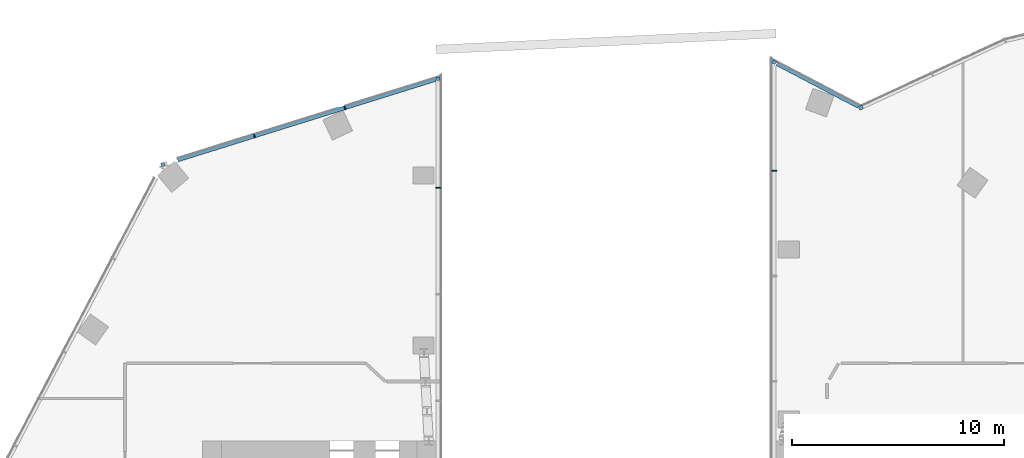
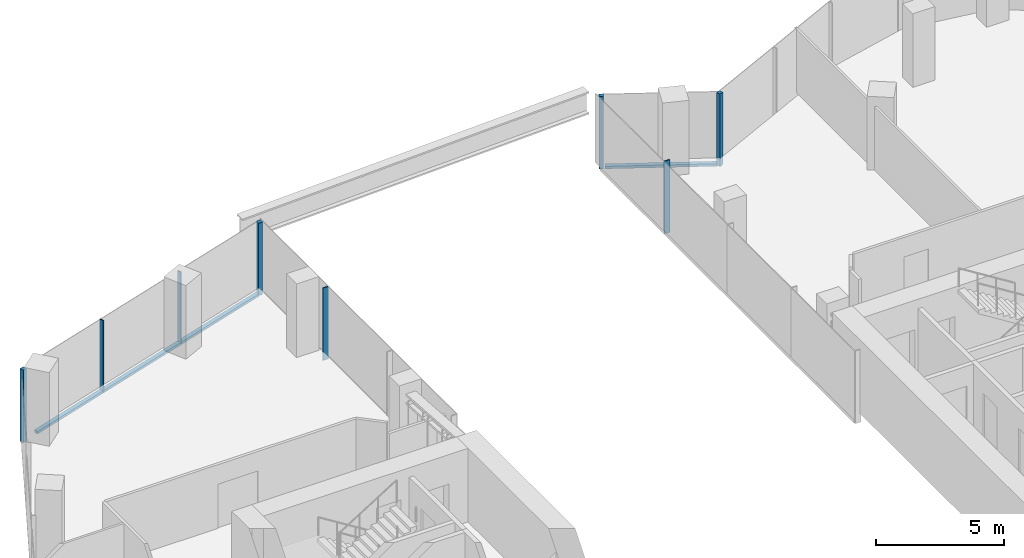
# One storey, part 11 of 24: 10 members, 5 elements without a shape of their own.
"""IFC4 building model written with IfcOpenShell, lengths in metres."""

from ifc_helpers import new_model, si_unit, direction, frame, origin, origin_2d, place, context, subcontext, project, spatial, rectangle, extrude, material, material_profile, profile_set, type_object, element, aggregate, save


model = new_model("IFC4")

# Units and contexts
model_context = context("Model", 3, precision=1e-05, world=origin(), true_north=direction((0.0, 1.0)))
body_context = subcontext(model_context, "Body", "Model", "MODEL_VIEW")
ifc_project = project(units=[si_unit("LENGTHUNIT", "METRE"), si_unit("AREAUNIT", "SQUARE_METRE"), si_unit("VOLUMEUNIT", "CUBIC_METRE"), si_unit("PLANEANGLEUNIT", "RADIAN"), si_unit("MASSUNIT", "GRAM", prefix="KILO")], contexts=[model_context])

# Site, building, storey
site_placement = place(None, origin())
site = spatial("IfcSite", under=ifc_project, at=site_placement, CompositionType="ELEMENT")
building_placement = place(site_placement, origin())
building = spatial("IfcBuilding", under=site, at=building_placement, Name="Orlundy Tower", CompositionType="ELEMENT")
storey_placement = place(building_placement, frame((0.0, 0.0, 267.5)))
storey = spatial("IfcBuildingStorey", under=building, at=storey_placement, Name="L71", CompositionType="ELEMENT", Elevation=267.5)

# Curtain wall, member
ifc_material_1 = material(Name="Aluminium bronze anodised", Category="aluminium")
curtain_wall_type = type_object("IfcCurtainWallType", Name="CW1 wall", PredefinedType="NOTDEFINED", material=ifc_material_1)
curtain_wall_1_placement = place(storey_placement, origin())
curtain_wall_1 = element("IfcCurtainWall", 1, at=curtain_wall_1_placement, inside=storey, type_object=curtain_wall_type, Name="CW1 run 03", PredefinedType="NOTDEFINED")
ifc_material_2 = material(Name="Aluminium bronze anodised", Category="aluminium")
ifc_material_profile_1 = material_profile(ifc_material_2, rectangle(XDim=0.179931640625, YDim=0.179931640625, at=origin_2d()), Name="CW1 corner post 180x180")
ifc_profile_set_1 = profile_set([ifc_material_profile_1], Name="Aluminium bronze anodised")
member_type_1 = type_object("IfcMemberType", Name="CW1 corner post 180x180", PredefinedType="MULLION", material=ifc_profile_set_1)
member_1_placement = place(storey_placement, frame((-20.8623046875, 25.009765625, -0.39990234375), z_axis=(0.0, 0.0, 1.0), x_axis=(-0.297935263894, 0.954586077066, 0.0)))
member_1 = element("IfcMember", 2, at=member_1_placement, type_object=member_type_1, Name="CW1 mullion 13", PredefinedType="MULLION", context=body_context, shape_type="SweptSolid", body=[
    extrude(rectangle(XDim=0.179931640625, YDim=0.179931640625, at=origin_2d()), origin(), (0.0, 0.0, 1.0), 3.449951171875),
])

curtain_wall_2_placement = place(storey_placement, origin())
curtain_wall_2 = element("IfcCurtainWall", 3, at=curtain_wall_2_placement, inside=storey, type_object=curtain_wall_type, Name="CW1 run 04", PredefinedType="NOTDEFINED")
member_2_placement = place(storey_placement, frame((-7.909912109375, 29.052490234375, -0.39990234375), z_axis=(0.0, 0.0, 1.0), x_axis=(1.0, 0.0, 0.0)))
member_2 = element("IfcMember", 4, at=member_2_placement, type_object=member_type_1, Name="CW1 mullion 16", PredefinedType="MULLION", context=body_context, shape_type="SweptSolid", body=[
    extrude(rectangle(XDim=0.179931640625, YDim=0.179931640625, at=origin_2d()), origin(), (0.0, 0.0, 1.0), 3.449951171875),
])

curtain_wall_3_placement = place(storey_placement, origin())
curtain_wall_3 = element("IfcCurtainWall", 5, at=curtain_wall_3_placement, inside=storey, type_object=curtain_wall_type, Name="CW1 run 10", PredefinedType="NOTDEFINED")
member_3_placement = place(storey_placement, frame((11.993408203125, 27.687255859375, -0.39990234375), z_axis=(0.0, 0.0, 1.0), x_axis=(-0.419975748486, 0.907535327513, 0.0)))
member_3 = element("IfcMember", 6, at=member_3_placement, type_object=member_type_1, Name="CW1 mullion 1", PredefinedType="MULLION", context=body_context, shape_type="SweptSolid", body=[
    extrude(rectangle(XDim=0.179931640625, YDim=0.179931640625, at=origin_2d()), origin(), (0.0, 0.0, 1.0), 3.449951171875),
])
aggregate(curtain_wall_3, [member_3])

curtain_wall_4_placement = place(storey_placement, origin())
curtain_wall_4 = element("IfcCurtainWall", 7, at=curtain_wall_4_placement, inside=storey, type_object=curtain_wall_type, Name="CW1 run 119", PredefinedType="NOTDEFINED")
member_4_placement = place(storey_placement, frame((7.909912109375, 29.827880859375, -0.39990234375), z_axis=(0.0, 0.0, 1.0), x_axis=(0.464264043147, 0.885696843305, 0.0)))
member_4 = element("IfcMember", 8, at=member_4_placement, type_object=member_type_1, Name="CW1 mullion 40", PredefinedType="MULLION", context=body_context, shape_type="SweptSolid", body=[
    extrude(rectangle(XDim=0.179931640625, YDim=0.179931640625, at=origin_2d()), origin(), (0.0, 0.0, 1.0), 3.449951171875),
])

# Member
ifc_material_3 = material(Name="Aluminium bronze anodised", Category="aluminium")
ifc_material_profile_2 = material_profile(ifc_material_3, rectangle(XDim=0.179931640625, YDim=0.050048828125, at=origin_2d()), Name="CW1 mullion 50x180")
ifc_profile_set_2 = profile_set([ifc_material_profile_2], Name="Aluminium bronze anodised")
member_type_2 = type_object("IfcMemberType", Name="CW1 mullion 50x180", PredefinedType="MULLION", material=ifc_profile_set_2)
member_5_placement = place(storey_placement, frame((-16.56005859375, 26.3525390625, -0.39990234375), z_axis=(0.0, 0.0, 1.0), x_axis=(-0.297935263894, 0.954586077066, 0.0)))
member_5 = element("IfcMember", 9, at=member_5_placement, type_object=member_type_2, Name="CW1 mullion 14", PredefinedType="MULLION", context=body_context, shape_type="SweptSolid", body=[
    extrude(rectangle(XDim=0.179931640625, YDim=0.050048828125, at=origin_2d()), origin(), (0.0, 0.0, 1.0), 3.449951171875),
])

member_6_placement = place(storey_placement, frame((-12.29345703125, 27.684326171875, -0.39990234375), z_axis=(0.0, 0.0, 1.0), x_axis=(-0.297935263894, 0.954586077066, 0.0)))
member_6 = element("IfcMember", 10, at=member_6_placement, type_object=member_type_2, Name="CW1 mullion 15", PredefinedType="MULLION", context=body_context, shape_type="SweptSolid", body=[
    extrude(rectangle(XDim=0.179931640625, YDim=0.050048828125, at=origin_2d()), origin(), (0.0, 0.0, 1.0), 3.449951171875),
])

ifc_material_4 = material(Name="Aluminium bronze anodised", Category="aluminium")
ifc_material_profile_3 = material_profile(ifc_material_4, rectangle(XDim=0.179931640625, YDim=0.1201171875, at=origin_2d()), Name="CW1 transom 180x120")
ifc_profile_set_3 = profile_set([ifc_material_profile_3], Name="Aluminium bronze anodised")
member_type_3 = type_object("IfcMemberType", Name="CW1 transom 180x120", PredefinedType="USERDEFINED", material=ifc_profile_set_3)
member_7_placement = place(storey_placement, frame((-20.16455078125, 25.2275390625, -0.340087890625), z_axis=(0.95458514702, 0.297938243751, 0.0), x_axis=(-0.297938243751, 0.95458514702, 0.0)))
member_7 = element("IfcMember", 11, at=member_7_placement, type_object=member_type_3, Name="CW1 transom", ObjectType="TRANSOM", PredefinedType="USERDEFINED", context=body_context, shape_type="SweptSolid", body=[
    extrude(rectangle(XDim=0.179931640625, YDim=0.1201171875, at=origin_2d()), origin(), (0.0, 0.0, 1.0), 12.715087890625),
])

aggregate(curtain_wall_1, [member_1, member_5, member_6, member_7])

member_8_placement = place(storey_placement, frame((8.041748046875, 29.7587890625, -0.340087890625), z_axis=(0.88569522936, -0.464267122128, 0.0), x_axis=(0.464267122128, 0.88569522936, 0.0)))
member_8 = element("IfcMember", 12, at=member_8_placement, type_object=member_type_3, Name="CW1 transom", ObjectType="TRANSOM", PredefinedType="USERDEFINED", context=body_context, shape_type="SweptSolid", body=[
    extrude(rectangle(XDim=0.179931640625, YDim=0.1201171875, at=origin_2d()), origin(), (0.0, 0.0, 1.0), 4.348388671875),
])

aggregate(curtain_wall_4, [member_4, member_8])

ifc_material_5 = material(Name="Aluminium bronze anodised", Category="aluminium")
ifc_material_profile_4 = material_profile(ifc_material_5, rectangle(XDim=0.239990234375, YDim=0.050048828125, at=origin_2d()), Name="CW6 mullion 50x240")
ifc_profile_set_4 = profile_set([ifc_material_profile_4], Name="Aluminium bronze anodised")
member_type_4 = type_object("IfcMemberType", Name="CW6 mullion 50x240", PredefinedType="MULLION", material=ifc_profile_set_4)
member_9_placement = place(storey_placement, frame((-7.909912109375, 23.919189453125, -0.39990234375), z_axis=(0.0, 0.0, 1.0), x_axis=(1.0, 0.0, 0.0)))
member_9 = element("IfcMember", 13, at=member_9_placement, type_object=member_type_4, Name="CW6 mullion 17", PredefinedType="MULLION", context=body_context, shape_type="SweptSolid", body=[
    extrude(rectangle(XDim=0.239990234375, YDim=0.050048828125, at=origin_2d()), origin(), (0.0, 0.0, 1.0), 3.449951171875),
])

aggregate(curtain_wall_2, [member_2, member_9])

# Curtain wall, member
curtain_wall_5_placement = place(storey_placement, origin())
curtain_wall_5 = element("IfcCurtainWall", 14, at=curtain_wall_5_placement, inside=storey, type_object=curtain_wall_type, Name="CW1 run 118", PredefinedType="NOTDEFINED")
member_10_placement = place(storey_placement, frame((7.909912109375, 24.72216796875, -0.39990234375), z_axis=(0.0, 0.0, 1.0), x_axis=(-1.0, 0.0, 0.0)))
member_10 = element("IfcMember", 15, at=member_10_placement, type_object=member_type_4, Name="CW6 mullion 39", PredefinedType="MULLION", context=body_context, shape_type="SweptSolid", body=[
    extrude(rectangle(XDim=0.239990234375, YDim=0.050048828125, at=origin_2d()), origin(), (0.0, 0.0, 1.0), 3.449951171875),
])
aggregate(curtain_wall_5, [member_10])

save(model, "model.ifc")
